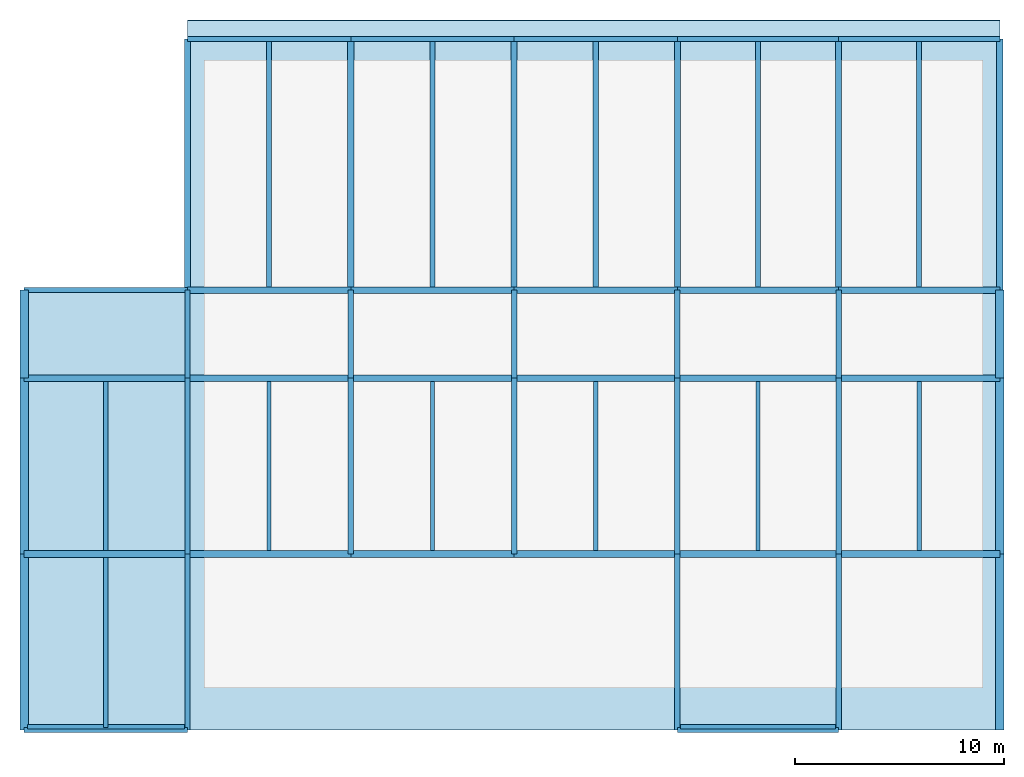
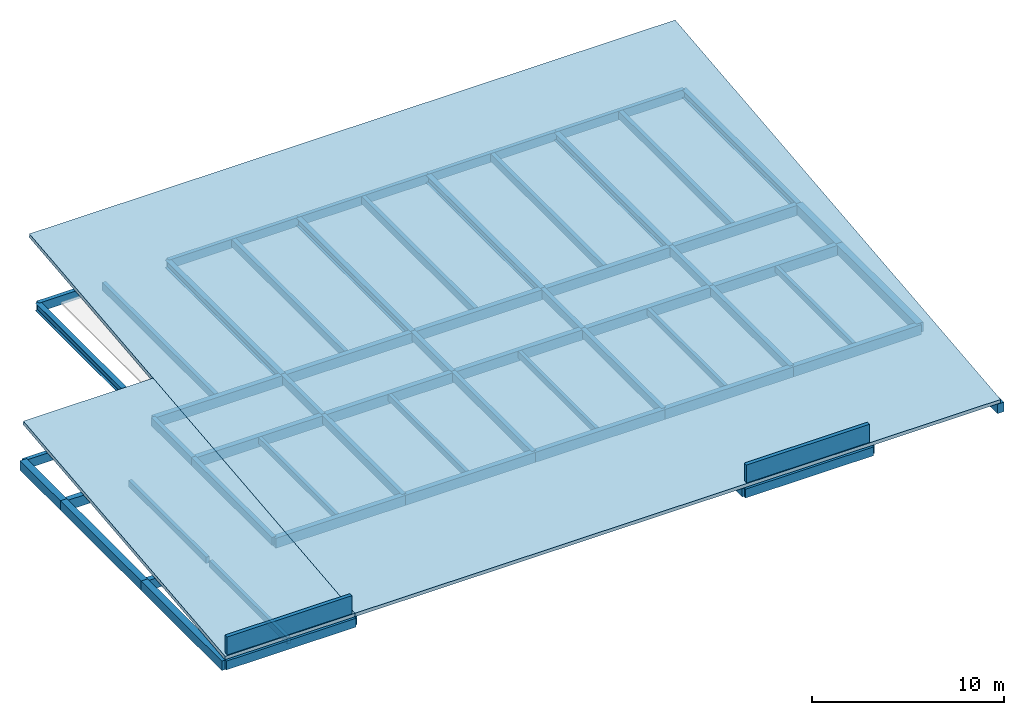
# One storey, part 1 of 2: 62 beams, 2 slabs, 2 walls.
"""IFC4 building model written with IfcOpenShell, lengths in metres."""

from ifc_helpers import new_model, si_unit, direction, frame, frame_2d, origin, origin_2d, place, context, subcontext, project, spatial, polyline, rectangle, i_section, outline, extrude, material, layer, layer_set, material_profile, profile_set, type_object, element, save


model = new_model("IFC4")

# Units and contexts
model_context = context("Model", 3, precision=1e-05, world=origin(), true_north=direction((0.0, 1.0)))
body_context = subcontext(model_context, "Body", "Model", "MODEL_VIEW")
ifc_project = project(units=[si_unit("LENGTHUNIT", "METRE"), si_unit("AREAUNIT", "SQUARE_METRE"), si_unit("VOLUMEUNIT", "CUBIC_METRE"), si_unit("PLANEANGLEUNIT", "RADIAN"), si_unit("MASSUNIT", "GRAM", prefix="KILO")], contexts=[model_context])

# Site, building, storey
site_placement = place(None, origin())
site = spatial("IfcSite", under=ifc_project, at=site_placement, CompositionType="ELEMENT")
building_placement = place(site_placement, origin())
building = spatial("IfcBuilding", under=site, at=building_placement, Name="Vharandega Faculty of Natural Sciences", CompositionType="ELEMENT")
storey_placement = place(building_placement, frame((0.0, 0.0, 47.10009765625)))
storey = spatial("IfcBuildingStorey", under=building, at=storey_placement, Name="RF", CompositionType="ELEMENT", Elevation=47.10009765625)

# Beams
ifc_material_1 = material(Name="Glulam GL28h", Category="wood")
ifc_material_profile_1 = material_profile(ifc_material_1, rectangle(XDim=0.260009765625, YDim=0.52001953125, at=origin_2d()), Name="GL28h 260x520")
ifc_profile_set_1 = profile_set([ifc_material_profile_1], Name="Glulam GL28h")
beam_type_1 = type_object("IfcBeamType", Name="Glulam Floor Beam 260x520", PredefinedType="BEAM", material=ifc_profile_set_1)
beam_1_placement = place(storey_placement, frame((122.60009765625, 64.0, -0.5), z_axis=(0.0, 1.0, 0.0), x_axis=(-1.0, 0.0, 0.0)))
element("IfcBeam", 1, at=beam_1_placement, inside=storey, type_object=beam_type_1, Name="Beam RF 16/J-K", PredefinedType="BEAM", context=body_context, shape_type="SweptSolid", body=[
    extrude(rectangle(XDim=0.260009765625, YDim=0.52001953125, at=origin_2d()), origin(), (0.0, 0.0, 1.0), 8.39990234375),
])
beam_2_placement = place(storey_placement, frame((122.60009765625, 72.39990234375, -0.5), z_axis=(0.0, 1.0, 0.0), x_axis=(-1.0, 0.0, 0.0)))
element("IfcBeam", 2, at=beam_2_placement, inside=storey, type_object=beam_type_1, Name="Beam RF 16/K-L", PredefinedType="BEAM", context=body_context, shape_type="SweptSolid", body=[
    extrude(rectangle(XDim=0.260009765625, YDim=0.52001953125, at=origin_2d()), origin(), (0.0, 0.0, 1.0), 8.400146484375),
])
beam_3_placement = place(storey_placement, frame((122.60009765625, 80.800048828125, -0.5), z_axis=(0.0, 1.0, 0.0), x_axis=(-1.0, 0.0, 0.0)))
element("IfcBeam", 3, at=beam_3_placement, inside=storey, type_object=beam_type_1, Name="Beam RF 16/L-M", PredefinedType="BEAM", context=body_context, shape_type="SweptSolid", body=[
    extrude(rectangle(XDim=0.260009765625, YDim=0.52001953125, at=origin_2d()), origin(), (0.0, 0.0, 1.0), 4.199951171875),
])
beam_4_placement = place(storey_placement, frame((130.39990234375, 72.39990234375, -0.5), z_axis=(0.0, 1.0, 0.0), x_axis=(-1.0, 0.0, 0.0)))
element("IfcBeam", 4, at=beam_4_placement, inside=storey, type_object=beam_type_1, Name="Beam RF 17/K-L", PredefinedType="BEAM", context=body_context, shape_type="SweptSolid", body=[
    extrude(rectangle(XDim=0.260009765625, YDim=0.52001953125, at=origin_2d()), origin(), (0.0, 0.0, 1.0), 8.400146484375),
])
beam_5_placement = place(storey_placement, frame((130.39990234375, 80.800048828125, -0.5), z_axis=(0.0, 1.0, 0.0), x_axis=(-1.0, 0.0, 0.0)))
element("IfcBeam", 5, at=beam_5_placement, inside=storey, type_object=beam_type_1, Name="Beam RF 17/L-M", PredefinedType="BEAM", context=body_context, shape_type="SweptSolid", body=[
    extrude(rectangle(XDim=0.260009765625, YDim=0.52001953125, at=origin_2d()), origin(), (0.0, 0.0, 1.0), 4.199951171875),
])
beam_6_placement = place(storey_placement, frame((138.199951171875, 72.39990234375, -0.5), z_axis=(0.0, 1.0, 0.0), x_axis=(-1.0, 0.0, 0.0)))
element("IfcBeam", 6, at=beam_6_placement, inside=storey, type_object=beam_type_1, Name="Beam RF 18/K-L", PredefinedType="BEAM", context=body_context, shape_type="SweptSolid", body=[
    extrude(rectangle(XDim=0.260009765625, YDim=0.52001953125, at=origin_2d()), origin(), (0.0, 0.0, 1.0), 8.400146484375),
])
beam_7_placement = place(storey_placement, frame((138.199951171875, 80.800048828125, -0.5), z_axis=(0.0, 1.0, 0.0), x_axis=(-1.0, 0.0, 0.0)))
element("IfcBeam", 7, at=beam_7_placement, inside=storey, type_object=beam_type_1, Name="Beam RF 18/L-M", PredefinedType="BEAM", context=body_context, shape_type="SweptSolid", body=[
    extrude(rectangle(XDim=0.260009765625, YDim=0.52001953125, at=origin_2d()), origin(), (0.0, 0.0, 1.0), 4.199951171875),
])
beam_8_placement = place(storey_placement, frame((146.0, 64.0, -0.5), z_axis=(0.0, 1.0, 0.0), x_axis=(-1.0, 0.0, 0.0)))
element("IfcBeam", 8, at=beam_8_placement, inside=storey, type_object=beam_type_1, Name="Beam RF 19/J-K", PredefinedType="BEAM", context=body_context, shape_type="SweptSolid", body=[
    extrude(rectangle(XDim=0.260009765625, YDim=0.52001953125, at=origin_2d()), origin(), (0.0, 0.0, 1.0), 8.39990234375),
])
beam_9_placement = place(storey_placement, frame((146.0, 72.39990234375, -0.5), z_axis=(0.0, 1.0, 0.0), x_axis=(-1.0, 0.0, 0.0)))
element("IfcBeam", 9, at=beam_9_placement, inside=storey, type_object=beam_type_1, Name="Beam RF 19/K-L", PredefinedType="BEAM", context=body_context, shape_type="SweptSolid", body=[
    extrude(rectangle(XDim=0.260009765625, YDim=0.52001953125, at=origin_2d()), origin(), (0.0, 0.0, 1.0), 8.400146484375),
])
beam_10_placement = place(storey_placement, frame((146.0, 80.800048828125, -0.5), z_axis=(0.0, 1.0, 0.0), x_axis=(-1.0, 0.0, 0.0)))
element("IfcBeam", 10, at=beam_10_placement, inside=storey, type_object=beam_type_1, Name="Beam RF 19/L-M", PredefinedType="BEAM", context=body_context, shape_type="SweptSolid", body=[
    extrude(rectangle(XDim=0.260009765625, YDim=0.52001953125, at=origin_2d()), origin(), (0.0, 0.0, 1.0), 4.199951171875),
])
beam_11_placement = place(storey_placement, frame((153.699951171875, 64.0, -0.5), z_axis=(0.0, 1.0, 0.0), x_axis=(-1.0, 0.0, 0.0)))
element("IfcBeam", 11, at=beam_11_placement, inside=storey, type_object=beam_type_1, Name="Beam RF 20/J-K", PredefinedType="BEAM", context=body_context, shape_type="SweptSolid", body=[
    extrude(rectangle(XDim=0.260009765625, YDim=0.52001953125, at=origin_2d()), origin(), (0.0, 0.0, 1.0), 8.39990234375),
])
beam_12_placement = place(storey_placement, frame((153.699951171875, 72.39990234375, -0.5), z_axis=(0.0, 1.0, 0.0), x_axis=(-1.0, 0.0, 0.0)))
element("IfcBeam", 12, at=beam_12_placement, inside=storey, type_object=beam_type_1, Name="Beam RF 20/K-L", PredefinedType="BEAM", context=body_context, shape_type="SweptSolid", body=[
    extrude(rectangle(XDim=0.260009765625, YDim=0.52001953125, at=origin_2d()), origin(), (0.0, 0.0, 1.0), 8.400146484375),
])
beam_13_placement = place(storey_placement, frame((153.699951171875, 80.800048828125, -0.5), z_axis=(0.0, 1.0, 0.0), x_axis=(-1.0, 0.0, 0.0)))
element("IfcBeam", 13, at=beam_13_placement, inside=storey, type_object=beam_type_1, Name="Beam RF 20/L-M", PredefinedType="BEAM", context=body_context, shape_type="SweptSolid", body=[
    extrude(rectangle(XDim=0.260009765625, YDim=0.52001953125, at=origin_2d()), origin(), (0.0, 0.0, 1.0), 4.199951171875),
])
ifc_material_2 = material(Name="Glulam GL28h", Category="wood")
ifc_material_profile_2 = material_profile(ifc_material_2, rectangle(XDim=0.320068359375, YDim=0.639892578125, at=origin_2d()), Name="GL28h 320x640")
ifc_profile_set_2 = profile_set([ifc_material_profile_2], Name="Glulam GL28h")
beam_type_2 = type_object("IfcBeamType", Name="Glulam Floor Beam 320x640", PredefinedType="BEAM", material=ifc_profile_set_2)
beam_14_placement = place(storey_placement, frame((114.800048828125, 72.39990234375, -0.56005859375), z_axis=(1.0, 0.0, 0.0), x_axis=(0.0, 1.0, 0.0)))
element("IfcBeam", 14, at=beam_14_placement, inside=storey, type_object=beam_type_2, Name="Beam RF K/15-16", PredefinedType="BEAM", context=body_context, shape_type="SweptSolid", body=[
    extrude(rectangle(XDim=0.320068359375, YDim=0.639892578125, at=origin_2d()), origin(), (0.0, 0.0, 1.0), 7.800048828125),
])
beam_15_placement = place(storey_placement, frame((122.60009765625, 72.39990234375, -0.56005859375), z_axis=(1.0, 0.0, 0.0), x_axis=(0.0, 1.0, 0.0)))
element("IfcBeam", 15, at=beam_15_placement, inside=storey, type_object=beam_type_2, Name="Beam RF K/16-17", PredefinedType="BEAM", context=body_context, shape_type="SweptSolid", body=[
    extrude(rectangle(XDim=0.320068359375, YDim=0.639892578125, at=origin_2d()), origin(), (0.0, 0.0, 1.0), 7.7998046875),
])
for number, where, z_axis, x_axis, name in (
    (16, (130.39990234375, 72.39990234375, -0.56005859375), (1.0, 0.0, 0.0), (0.0, 1.0, 0.0), "Beam RF K/17-18"),
    (17, (138.199951171875, 72.39990234375, -0.56005859375), (1.0, 0.0, 0.0), (0.0, 1.0, 0.0), "Beam RF K/18-19"),
):
    element("IfcBeam", number, at=place(storey_placement, frame(where, z_axis=z_axis, x_axis=x_axis)), inside=storey, type_object=beam_type_2, Name=name, PredefinedType="BEAM", context=body_context, shape_type="SweptSolid", body=[
        extrude(rectangle(XDim=0.320068359375, YDim=0.639892578125, at=origin_2d()), origin(), (0.0, 0.0, 1.0), 7.800048828125),
    ])
for number, where, z_axis, x_axis, name in (
    (18, (146.0, 72.39990234375, -0.56005859375), (1.0, 0.0, 0.0), (0.0, 1.0, 0.0), "Beam RF K/19-20"),
    (19, (153.699951171875, 72.39990234375, -0.56005859375), (1.0, 0.0, 0.0), (0.0, 1.0, 0.0), "Beam RF K/20-21"),
):
    element("IfcBeam", number, at=place(storey_placement, frame(where, z_axis=z_axis, x_axis=x_axis)), inside=storey, type_object=beam_type_2, Name=name, PredefinedType="BEAM", context=body_context, shape_type="SweptSolid", body=[
        extrude(rectangle(XDim=0.320068359375, YDim=0.639892578125, at=origin_2d()), origin(), (0.0, 0.0, 1.0), 7.699951171875),
    ])
beam_16_placement = place(storey_placement, frame((114.800048828125, 80.800048828125, -0.56005859375), z_axis=(1.0, 0.0, 0.0), x_axis=(0.0, 1.0, 0.0)))
element("IfcBeam", 20, at=beam_16_placement, inside=storey, type_object=beam_type_2, Name="Beam RF L/15-16", PredefinedType="BEAM", context=body_context, shape_type="SweptSolid", body=[
    extrude(rectangle(XDim=0.320068359375, YDim=0.639892578125, at=origin_2d()), origin(), (0.0, 0.0, 1.0), 7.800048828125),
])
beam_17_placement = place(storey_placement, frame((122.60009765625, 80.800048828125, -0.56005859375), z_axis=(1.0, 0.0, 0.0), x_axis=(0.0, 1.0, 0.0)))
element("IfcBeam", 21, at=beam_17_placement, inside=storey, type_object=beam_type_2, Name="Beam RF L/16-17", PredefinedType="BEAM", context=body_context, shape_type="SweptSolid", body=[
    extrude(rectangle(XDim=0.320068359375, YDim=0.639892578125, at=origin_2d()), origin(), (0.0, 0.0, 1.0), 7.7998046875),
])
for number, where, z_axis, x_axis, name in (
    (22, (130.39990234375, 80.800048828125, -0.56005859375), (1.0, 0.0, 0.0), (0.0, 1.0, 0.0), "Beam RF L/17-18"),
    (23, (138.199951171875, 80.800048828125, -0.56005859375), (1.0, 0.0, 0.0), (0.0, 1.0, 0.0), "Beam RF L/18-19"),
):
    element("IfcBeam", number, at=place(storey_placement, frame(where, z_axis=z_axis, x_axis=x_axis)), inside=storey, type_object=beam_type_2, Name=name, PredefinedType="BEAM", context=body_context, shape_type="SweptSolid", body=[
        extrude(rectangle(XDim=0.320068359375, YDim=0.639892578125, at=origin_2d()), origin(), (0.0, 0.0, 1.0), 7.800048828125),
    ])
for number, where, z_axis, x_axis, name in (
    (24, (146.0, 80.800048828125, -0.56005859375), (1.0, 0.0, 0.0), (0.0, 1.0, 0.0), "Beam RF L/19-20"),
    (25, (153.699951171875, 80.800048828125, -0.56005859375), (1.0, 0.0, 0.0), (0.0, 1.0, 0.0), "Beam RF L/20-21"),
):
    element("IfcBeam", number, at=place(storey_placement, frame(where, z_axis=z_axis, x_axis=x_axis)), inside=storey, type_object=beam_type_2, Name=name, PredefinedType="BEAM", context=body_context, shape_type="SweptSolid", body=[
        extrude(rectangle(XDim=0.320068359375, YDim=0.639892578125, at=origin_2d()), origin(), (0.0, 0.0, 1.0), 7.699951171875),
    ])
beam_18_placement = place(storey_placement, frame((122.60009765625, 85.0, -0.56005859375), z_axis=(1.0, 0.0, 0.0), x_axis=(0.0, 1.0, 0.0)))
element("IfcBeam", 26, at=beam_18_placement, inside=storey, type_object=beam_type_2, Name="Beam RF M/16-17", PredefinedType="BEAM", context=body_context, shape_type="SweptSolid", body=[
    extrude(rectangle(XDim=0.320068359375, YDim=0.639892578125, at=origin_2d()), origin(), (0.0, 0.0, 1.0), 7.7998046875),
])
for number, where, z_axis, x_axis, name in (
    (27, (130.39990234375, 85.0, -0.56005859375), (1.0, 0.0, 0.0), (0.0, 1.0, 0.0), "Beam RF M/17-18"),
    (28, (138.199951171875, 85.0, -0.56005859375), (1.0, 0.0, 0.0), (0.0, 1.0, 0.0), "Beam RF M/18-19"),
):
    element("IfcBeam", number, at=place(storey_placement, frame(where, z_axis=z_axis, x_axis=x_axis)), inside=storey, type_object=beam_type_2, Name=name, PredefinedType="BEAM", context=body_context, shape_type="SweptSolid", body=[
        extrude(rectangle(XDim=0.320068359375, YDim=0.639892578125, at=origin_2d()), origin(), (0.0, 0.0, 1.0), 7.800048828125),
    ])
for number, where, z_axis, x_axis, name in (
    (29, (146.0, 85.0, -0.56005859375), (1.0, 0.0, 0.0), (0.0, 1.0, 0.0), "Beam RF M/19-20"),
    (30, (153.699951171875, 85.0, -0.56005859375), (1.0, 0.0, 0.0), (0.0, 1.0, 0.0), "Beam RF M/20-21"),
):
    element("IfcBeam", number, at=place(storey_placement, frame(where, z_axis=z_axis, x_axis=x_axis)), inside=storey, type_object=beam_type_2, Name=name, PredefinedType="BEAM", context=body_context, shape_type="SweptSolid", body=[
        extrude(rectangle(XDim=0.320068359375, YDim=0.639892578125, at=origin_2d()), origin(), (0.0, 0.0, 1.0), 7.699951171875),
    ])
ifc_material_3 = material(Name="Glulam GL28h", Category="wood")
ifc_material_profile_3 = material_profile(ifc_material_3, rectangle(XDim=0.199951171875, YDim=0.39990234375, at=origin_2d()), Name="GL28h 200x400")
ifc_profile_set_3 = profile_set([ifc_material_profile_3], Name="Glulam GL28h")
beam_type_3 = type_object("IfcBeamType", Name="Glulam Secondary Joist 200x400", PredefinedType="JOIST", material=ifc_profile_set_3)
beam_19_placement = place(storey_placement, frame((118.699951171875, 64.1201171875, -0.440185546875), z_axis=(0.0, 1.0, 0.0), x_axis=(-1.0, 0.0, 0.0)))
element("IfcBeam", 31, at=beam_19_placement, inside=storey, type_object=beam_type_3, Name="Secondary Joist RF 15-16/J-K", PredefinedType="JOIST", context=body_context, shape_type="SweptSolid", body=[
    extrude(rectangle(XDim=0.199951171875, YDim=0.39990234375, at=origin_2d()), origin(), (0.0, 0.0, 1.0), 8.119873046875),
])
for number, where, z_axis, x_axis, name in (
    (32, (118.699951171875, 72.56005859375, -0.440185546875), (0.0, 1.0, 0.0), (-1.0, 0.0, 0.0), "Secondary Joist RF 15-16/K-L"),
    (33, (126.5, 72.56005859375, -0.440185546875), (0.0, 1.0, 0.0), (-1.0, 0.0, 0.0), "Secondary Joist RF 16-17/K-L"),
    (34, (134.300048828125, 72.56005859375, -0.440185546875), (0.0, 1.0, 0.0), (-1.0, 0.0, 0.0), "Secondary Joist RF 17-18/K-L"),
    (35, (142.10009765625, 72.56005859375, -0.440185546875), (0.0, 1.0, 0.0), (-1.0, 0.0, 0.0), "Secondary Joist RF 18-19/K-L"),
    (36, (149.85009765625, 72.56005859375, -0.440185546875), (0.0, 1.0, 0.0), (-1.0, 0.0, 0.0), "Secondary Joist RF 19-20/K-L"),
    (37, (157.550048828125, 72.56005859375, -0.440185546875), (0.0, 1.0, 0.0), (-1.0, 0.0, 0.0), "Secondary Joist RF 20-21/K-L"),
):
    element("IfcBeam", number, at=place(storey_placement, frame(where, z_axis=z_axis, x_axis=x_axis)), inside=storey, type_object=beam_type_3, Name=name, PredefinedType="JOIST", context=body_context, shape_type="SweptSolid", body=[
        extrude(rectangle(XDim=0.199951171875, YDim=0.39990234375, at=origin_2d()), origin(), (0.0, 0.0, 1.0), 8.079833984375),
    ])
ifc_material_4 = material(Name="Glulam GL28h", Category="wood")
ifc_material_profile_4 = material_profile(ifc_material_4, rectangle(XDim=0.239990234375, YDim=0.47998046875, at=origin_2d()), Name="GL28h 240x480")
ifc_profile_set_4 = profile_set([ifc_material_profile_4], Name="Glulam GL28h")
beam_type_4 = type_object("IfcBeamType", Name="Glulam Secondary Joist 240x480", PredefinedType="JOIST", material=ifc_profile_set_4)
for number, where, z_axis, x_axis, name in (
    (38, (126.5, 85.159912109375, -0.47998046875), (0.0, 1.0, 0.0), (-1.0, 0.0, 0.0), "Secondary Joist RF 16-17/M-N"),
    (39, (134.300048828125, 85.159912109375, -0.47998046875), (0.0, 1.0, 0.0), (-1.0, 0.0, 0.0), "Secondary Joist RF 17-18/M-N"),
    (40, (142.10009765625, 85.159912109375, -0.47998046875), (0.0, 1.0, 0.0), (-1.0, 0.0, 0.0), "Secondary Joist RF 18-19/M-N"),
    (41, (149.85009765625, 85.159912109375, -0.47998046875), (0.0, 1.0, 0.0), (-1.0, 0.0, 0.0), "Secondary Joist RF 19-20/M-N"),
    (42, (157.550048828125, 85.159912109375, -0.47998046875), (0.0, 1.0, 0.0), (-1.0, 0.0, 0.0), "Secondary Joist RF 20-21/M-N"),
):
    element("IfcBeam", number, at=place(storey_placement, frame(where, z_axis=z_axis, x_axis=x_axis)), inside=storey, type_object=beam_type_4, Name=name, PredefinedType="JOIST", context=body_context, shape_type="SweptSolid", body=[
        extrude(rectangle(XDim=0.239990234375, YDim=0.47998046875, at=origin_2d()), origin(), (0.0, 0.0, 1.0), 11.719970703125),
    ])
ifc_material_5 = material(Name="Glulam GL28h", Category="wood")
ifc_material_profile_5 = material_profile(ifc_material_5, rectangle(XDim=0.239990234375, YDim=0.56005859375, at=origin_2d()), Name="GL28h 240x560")
ifc_profile_set_5 = profile_set([ifc_material_profile_5], Name="Glulam GL28h")
beam_type_5 = type_object("IfcBeamType", Name="Glulam Spandrel Edge Beam 240x560", PredefinedType="SPANDREL", material=ifc_profile_set_5)
beam_20_placement = place(storey_placement, frame((114.800048828125, 64.0, -0.52001953125), z_axis=(1.0, 0.0, 0.0), x_axis=(0.0, 1.0, 0.0)))
element("IfcBeam", 43, at=beam_20_placement, inside=storey, type_object=beam_type_5, Name="Beam RF J/15-16", PredefinedType="SPANDREL", context=body_context, shape_type="SweptSolid", body=[
    extrude(rectangle(XDim=0.239990234375, YDim=0.56005859375, at=origin_2d()), origin(), (0.0, 0.0, 1.0), 7.800048828125),
])
beam_21_placement = place(storey_placement, frame((146.0, 64.0, -0.52001953125), z_axis=(1.0, 0.0, 0.0), x_axis=(0.0, 1.0, 0.0)))
element("IfcBeam", 44, at=beam_21_placement, inside=storey, type_object=beam_type_5, Name="Beam RF J/19-20", PredefinedType="SPANDREL", context=body_context, shape_type="SweptSolid", body=[
    extrude(rectangle(XDim=0.239990234375, YDim=0.56005859375, at=origin_2d()), origin(), (0.0, 0.0, 1.0), 7.699951171875),
])
beam_22_placement = place(storey_placement, frame((114.800048828125, 85.0, -0.52001953125), z_axis=(1.0, 0.0, 0.0), x_axis=(0.0, 1.0, 0.0)))
element("IfcBeam", 45, at=beam_22_placement, inside=storey, type_object=beam_type_5, Name="Beam RF M/15-16", PredefinedType="SPANDREL", context=body_context, shape_type="SweptSolid", body=[
    extrude(rectangle(XDim=0.239990234375, YDim=0.56005859375, at=origin_2d()), origin(), (0.0, 0.0, 1.0), 7.800048828125),
])
beam_23_placement = place(storey_placement, frame((122.60009765625, 97.0, -0.52001953125), z_axis=(1.0, 0.0, 0.0), x_axis=(0.0, 1.0, 0.0)))
element("IfcBeam", 46, at=beam_23_placement, inside=storey, type_object=beam_type_5, Name="Beam RF N/16-17", PredefinedType="SPANDREL", context=body_context, shape_type="SweptSolid", body=[
    extrude(rectangle(XDim=0.239990234375, YDim=0.56005859375, at=origin_2d()), origin(), (0.0, 0.0, 1.0), 7.7998046875),
])
for number, where, z_axis, x_axis, name in (
    (47, (130.39990234375, 97.0, -0.52001953125), (1.0, 0.0, 0.0), (0.0, 1.0, 0.0), "Beam RF N/17-18"),
    (48, (138.199951171875, 97.0, -0.52001953125), (1.0, 0.0, 0.0), (0.0, 1.0, 0.0), "Beam RF N/18-19"),
):
    element("IfcBeam", number, at=place(storey_placement, frame(where, z_axis=z_axis, x_axis=x_axis)), inside=storey, type_object=beam_type_5, Name=name, PredefinedType="SPANDREL", context=body_context, shape_type="SweptSolid", body=[
        extrude(rectangle(XDim=0.239990234375, YDim=0.56005859375, at=origin_2d()), origin(), (0.0, 0.0, 1.0), 7.800048828125),
    ])
for number, where, z_axis, x_axis, name in (
    (49, (146.0, 97.0, -0.52001953125), (1.0, 0.0, 0.0), (0.0, 1.0, 0.0), "Beam RF N/19-20"),
    (50, (153.699951171875, 97.0, -0.52001953125), (1.0, 0.0, 0.0), (0.0, 1.0, 0.0), "Beam RF N/20-21"),
):
    element("IfcBeam", number, at=place(storey_placement, frame(where, z_axis=z_axis, x_axis=x_axis)), inside=storey, type_object=beam_type_5, Name=name, PredefinedType="SPANDREL", context=body_context, shape_type="SweptSolid", body=[
        extrude(rectangle(XDim=0.239990234375, YDim=0.56005859375, at=origin_2d()), origin(), (0.0, 0.0, 1.0), 7.699951171875),
    ])
ifc_material_6 = material(Name="Glulam GL32h", Category="wood")
ifc_material_profile_6 = material_profile(ifc_material_6, rectangle(XDim=0.39990234375, YDim=0.60009765625, at=origin_2d()), Name="GL32h 400x600")
ifc_profile_set_6 = profile_set([ifc_material_profile_6], Name="Glulam GL32h")
beam_type_6 = type_object("IfcBeamType", Name="Glulam Spine Girder 400x600", PredefinedType="BEAM", material=ifc_profile_set_6)
beam_24_placement = place(storey_placement, frame((114.800048828125, 64.0, -0.5400390625), z_axis=(0.0, 1.0, 0.0), x_axis=(-1.0, 0.0, 0.0)))
element("IfcBeam", 51, at=beam_24_placement, inside=storey, type_object=beam_type_6, Name="Beam RF 15/J-K", PredefinedType="BEAM", context=body_context, shape_type="SweptSolid", body=[
    extrude(rectangle(XDim=0.39990234375, YDim=0.60009765625, at=origin_2d()), origin(), (0.0, 0.0, 1.0), 8.39990234375),
])
beam_25_placement = place(storey_placement, frame((114.800048828125, 72.39990234375, -0.5400390625), z_axis=(0.0, 1.0, 0.0), x_axis=(-1.0, 0.0, 0.0)))
element("IfcBeam", 52, at=beam_25_placement, inside=storey, type_object=beam_type_6, Name="Beam RF 15/K-L", PredefinedType="BEAM", context=body_context, shape_type="SweptSolid", body=[
    extrude(rectangle(XDim=0.39990234375, YDim=0.60009765625, at=origin_2d()), origin(), (0.0, 0.0, 1.0), 8.400146484375),
])
beam_26_placement = place(storey_placement, frame((114.800048828125, 80.800048828125, -0.5400390625), z_axis=(0.0, 1.0, 0.0), x_axis=(-1.0, 0.0, 0.0)))
element("IfcBeam", 53, at=beam_26_placement, inside=storey, type_object=beam_type_6, Name="Beam RF 15/L-M", PredefinedType="BEAM", context=body_context, shape_type="SweptSolid", body=[
    extrude(rectangle(XDim=0.39990234375, YDim=0.60009765625, at=origin_2d()), origin(), (0.0, 0.0, 1.0), 4.199951171875),
])
beam_27_placement = place(storey_placement, frame((161.39990234375, 64.0, -0.5400390625), z_axis=(0.0, 1.0, 0.0), x_axis=(-1.0, 0.0, 0.0)))
element("IfcBeam", 54, at=beam_27_placement, inside=storey, type_object=beam_type_6, Name="Beam RF 21/J-K", PredefinedType="BEAM", context=body_context, shape_type="SweptSolid", body=[
    extrude(rectangle(XDim=0.39990234375, YDim=0.60009765625, at=origin_2d()), origin(), (0.0, 0.0, 1.0), 8.39990234375),
])
beam_28_placement = place(storey_placement, frame((161.39990234375, 72.39990234375, -0.5400390625), z_axis=(0.0, 1.0, 0.0), x_axis=(-1.0, 0.0, 0.0)))
element("IfcBeam", 55, at=beam_28_placement, inside=storey, type_object=beam_type_6, Name="Beam RF 21/K-L", PredefinedType="BEAM", context=body_context, shape_type="SweptSolid", body=[
    extrude(rectangle(XDim=0.39990234375, YDim=0.60009765625, at=origin_2d()), origin(), (0.0, 0.0, 1.0), 8.400146484375),
])
beam_29_placement = place(storey_placement, frame((161.39990234375, 80.800048828125, -0.5400390625), z_axis=(0.0, 1.0, 0.0), x_axis=(-1.0, 0.0, 0.0)))
element("IfcBeam", 56, at=beam_29_placement, inside=storey, type_object=beam_type_6, Name="Beam RF 21/L-M", PredefinedType="BEAM", context=body_context, shape_type="SweptSolid", body=[
    extrude(rectangle(XDim=0.39990234375, YDim=0.60009765625, at=origin_2d()), origin(), (0.0, 0.0, 1.0), 4.199951171875),
])
ifc_material_7 = material(Name="Steel S355", Category="steel")
ifc_material_profile_7 = material_profile(ifc_material_7, i_section(OverallWidth=0.300048828125, OverallDepth=0.5, WebThickness=0.014404296875, FlangeThickness=0.028076171875, FilletRadius=0.027099609375, at=origin_2d()), Name="HEB 500")
ifc_profile_set_7 = profile_set([ifc_material_profile_7], Name="Steel S355")
beam_type_7 = type_object("IfcBeamType", Name="Steel Collector Beam HEB 500", PredefinedType="BEAM", material=ifc_profile_set_7)
for number, where, z_axis, x_axis, name in (
    (57, (122.60009765625, 85.0, -0.489990234375), (0.0, 1.0, 0.0), (-1.0, 0.0, 0.0), "Beam RF 16/M-N"),
    (58, (130.39990234375, 85.0, -0.489990234375), (0.0, 1.0, 0.0), (-1.0, 0.0, 0.0), "Beam RF 17/M-N"),
    (59, (138.199951171875, 85.0, -0.489990234375), (0.0, 1.0, 0.0), (-1.0, 0.0, 0.0), "Beam RF 18/M-N"),
    (60, (146.0, 85.0, -0.489990234375), (0.0, 1.0, 0.0), (-1.0, 0.0, 0.0), "Beam RF 19/M-N"),
    (61, (153.699951171875, 85.0, -0.489990234375), (0.0, 1.0, 0.0), (-1.0, 0.0, 0.0), "Beam RF 20/M-N"),
    (62, (161.39990234375, 85.0, -0.489990234375), (0.0, 1.0, 0.0), (-1.0, 0.0, 0.0), "Beam RF 21/M-N"),
):
    element("IfcBeam", number, at=place(storey_placement, frame(where, z_axis=z_axis, x_axis=x_axis)), inside=storey, type_object=beam_type_7, Name=name, PredefinedType="BEAM", context=body_context, shape_type="SweptSolid", body=[
        extrude(i_section(OverallWidth=0.300048828125, OverallDepth=0.5, WebThickness=0.014404296875, FlangeThickness=0.028076171875, FilletRadius=0.027099609375, at=origin_2d()), origin(), (0.0, 0.0, 1.0), 12.0),
    ])

# Slabs
ifc_material_8 = material(Name="Cross-laminated timber CLT7-240", Category="wood")
ifc_layer_1 = layer(ifc_material_8, 0.239990234375, Name="Cross-laminated timber CLT7-240")
ifc_layer_set_1 = layer_set([ifc_layer_1], Name="Cross-laminated timber CLT7-240")
slab_type = type_object("IfcSlabType", Name="ROOF-PITCHED-240", PredefinedType="ROOF", material=ifc_layer_set_1)
slab_1_placement = place(storey_placement, frame((114.800048828125, 64.0, 0.0), z_axis=(0.0, -0.104521076916, 0.994522671677), x_axis=(1.0, 0.0, 0.0)))
element("IfcSlab", 63, at=slab_1_placement, inside=storey, type_object=slab_type, Name="RF V4 West Core Roof Slab", PredefinedType="ROOF", context=body_context, shape_type="SweptSolid", body=[
    extrude(outline(polyline([(0.0, 0.0), (7.800048828125, 0.0), (7.800048828125, 21.11565738826231), (0.0, 21.11565738826231), (0.0, 0.0)])), origin(), (0.0, 0.0, -1.0), 0.239990234375),
])
slab_2_placement = place(storey_placement, frame((122.60009765625, 64.0, 0.0), z_axis=(0.0, -0.104524742367, 0.994522286444), x_axis=(1.0, 0.0, 0.0)))
element("IfcSlab", 64, at=slab_2_placement, inside=storey, type_object=slab_type, Name="RF V4 Pitched Roof Slab", PredefinedType="ROOF", context=body_context, shape_type="SweptSolid", body=[
    extrude(outline(polyline([(0.0, 0.0), (38.7998046875, 0.0), (38.7998046875, 34.06648928266147), (0.0, 34.06648928266147), (0.0, 0.0)])), origin(), (0.0, 0.0, -1.0), 0.239990234375),
])

# Walls
ifc_material_9 = material(Name="Precast concrete C40/50", Category="concrete")
ifc_layer_2 = layer(ifc_material_9, 0.219970703125, Name="Precast concrete C40/50")
ifc_layer_set_2 = layer_set([ifc_layer_2], Name="Precast concrete C40/50")
wall_type = type_object("IfcWallType", Name="Roof Masonry Parapet 220", PredefinedType="PARAPET", material=ifc_layer_set_2)
wall_1_placement = place(storey_placement, frame((122.449951171875, 64.14990234375, 0.0), z_axis=(0.0, 0.0, 1.0), x_axis=(-1.0, 0.0, 0.0)))
element("IfcWall", 65, at=wall_1_placement, inside=storey, type_object=wall_type, Name="Exterior Wall WP-RF-01", PredefinedType="PARAPET", context=body_context, shape_type="SweptSolid", body=[
    extrude(rectangle(XDim=7.5, YDim=0.219970703125, at=frame_2d((3.75, 0.0))), origin(), (0.0, 0.0, 1.0), 1.14990234375),
])
wall_2_placement = place(storey_placement, frame((153.550048828125, 64.14990234375, 0.0), z_axis=(0.0, 0.0, 1.0), x_axis=(-1.0, 0.0, 0.0)))
element("IfcWall", 66, at=wall_2_placement, inside=storey, type_object=wall_type, Name="Exterior Wall WP-RF-02", PredefinedType="PARAPET", context=body_context, shape_type="SweptSolid", body=[
    extrude(rectangle(XDim=7.400146484375, YDim=0.219970703125, at=frame_2d((3.7001953125, 0.0))), origin(), (0.0, 0.0, 1.0), 1.14990234375),
])

save(model, "model.ifc")
